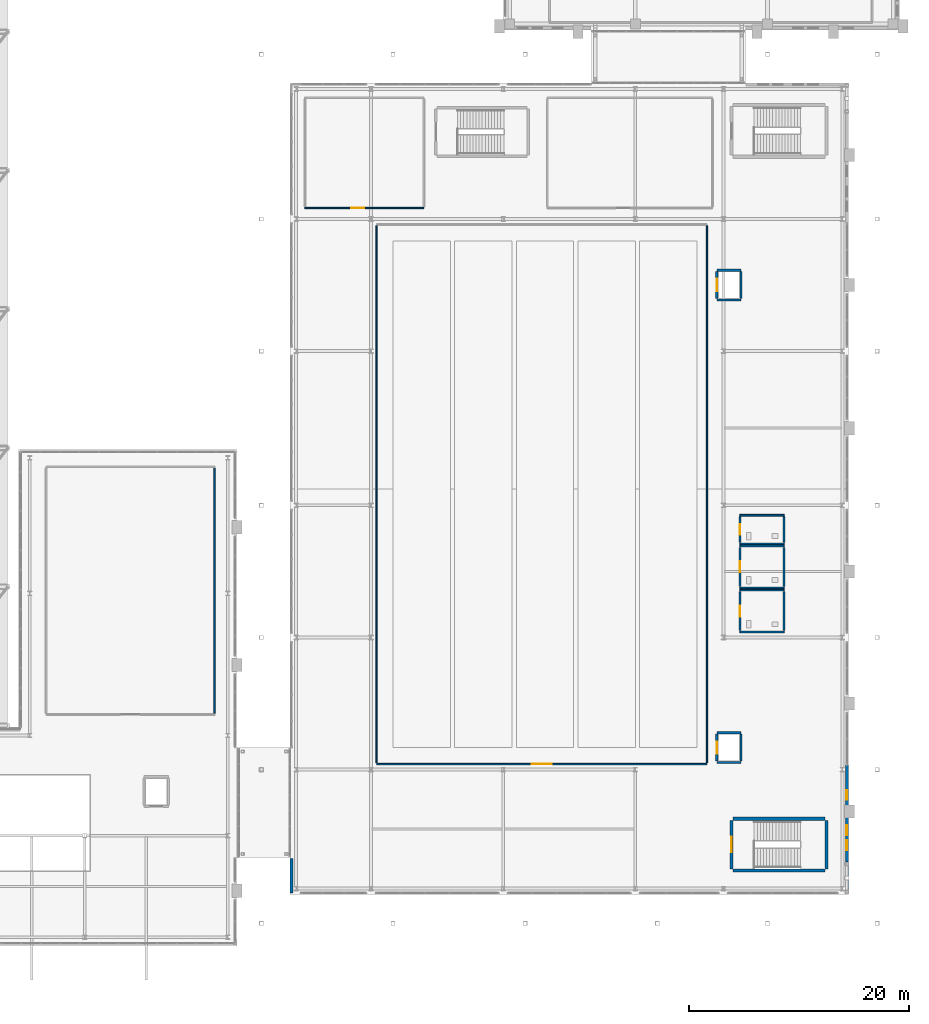
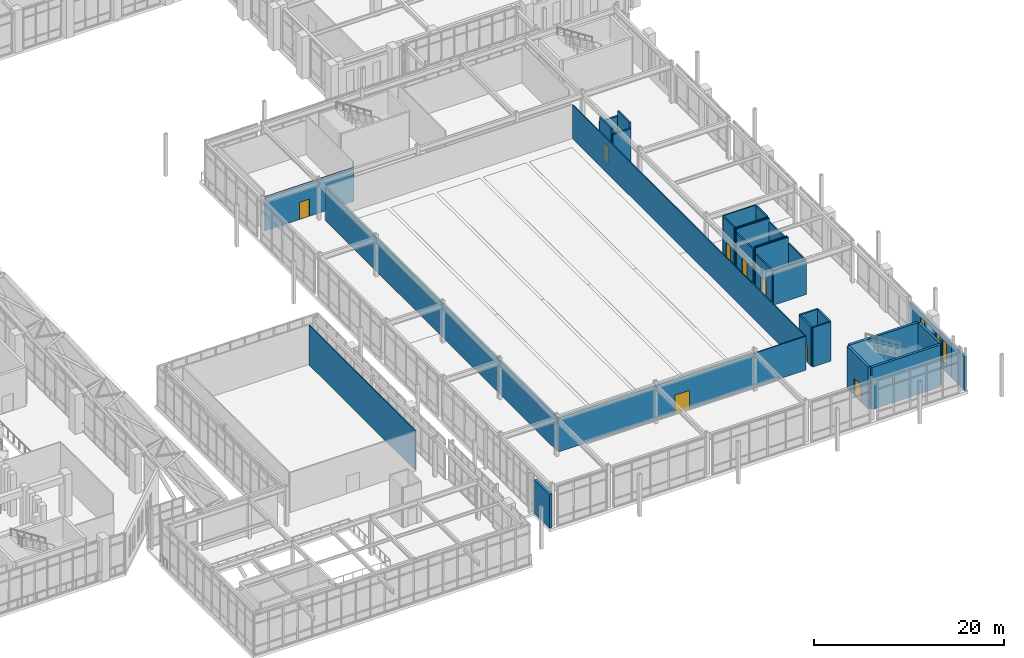
# One storey, part 134 of 159: 32 walls, 8 doors, 3 windows, 11 openings.
"""IFC4 building model written with IfcOpenShell, lengths in metres."""

from ifc_helpers import new_model, si_unit, derived_unit, direction, frame, frame_2d, origin, place, context, subcontext, project, spatial, rectangle, extrude, material, layer, layer_set, type_object, element, fill, save


model = new_model("IFC4")

# Units and contexts
model_context = context("Model", 3, precision=1e-05, world=origin(), true_north=direction((0.0, 1.0)))
body_context = subcontext(model_context, "Body", "Model", "MODEL_VIEW")
ifc_project = project(units=[si_unit("LENGTHUNIT", "METRE"), si_unit("AREAUNIT", "SQUARE_METRE"), si_unit("VOLUMEUNIT", "CUBIC_METRE"), si_unit("PLANEANGLEUNIT", "RADIAN"), si_unit("MASSUNIT", "GRAM", prefix="KILO"), derived_unit("THERMALTRANSMITTANCEUNIT", [(si_unit("MASSUNIT", "GRAM", prefix="KILO"), 1), (si_unit("TIMEUNIT", "SECOND"), -3), (si_unit("THERMODYNAMICTEMPERATUREUNIT", "KELVIN"), -1)])], contexts=[model_context])

# Site, building, storey
site_placement = place(None, origin())
site = spatial("IfcSite", under=ifc_project, at=site_placement, CompositionType="ELEMENT")
building_placement = place(site_placement, origin())
building = spatial("IfcBuilding", under=site, at=building_placement, Name="Valcora Ridge Arena", CompositionType="ELEMENT")
storey_placement = place(building_placement, frame((0.0, 0.0, 6.0)))
storey = spatial("IfcBuildingStorey", under=building, at=storey_placement, Name="L01", CompositionType="ELEMENT", Elevation=6.0)

# Walls
ifc_material_1 = material(Name="Bush-hammered Andean travertine on concrete backup C40/50", Category="masonry")
ifc_layer_1 = layer(ifc_material_1, 0.280029296875, Name="Bush-hammered Andean travertine on concrete backup C40/50")
ifc_layer_set_1 = layer_set([ifc_layer_1], Name="Bush-hammered Andean travertine on concrete backup C40/50")
wall_type_1 = type_object("IfcWallType", Name="TY-WALL-EW-TRV-28-43", PredefinedType="STANDARD", material=ifc_layer_set_1)
wall_1_placement = place(storey_placement, frame((136.800048828125, 4.800048828125, 0.0), z_axis=(0.0, 0.0, 1.0), x_axis=(0.0, 1.0, 0.0)))
element("IfcWall", 1, at=wall_1_placement, inside=storey, type_object=wall_type_1, Name="EW-TRV-28-43 WAL-EW-0014", PredefinedType="STANDARD", context=body_context, shape_type="SweptSolid", body=[
    extrude(rectangle(XDim=3.14990234375, YDim=0.280029296875, at=frame_2d((1.574951171875, 0.0))), origin(), (0.0, 0.0, 1.0), 4.346923828125),
])
wall_2_placement = place(storey_placement, frame((187.199951171875, 4.800048828125, 0.0), z_axis=(0.0, 0.0, 1.0), x_axis=(0.0, 1.0, 0.0)))
element("IfcWall", 2, at=wall_2_placement, inside=storey, type_object=wall_type_1, Name="EW-TRV-28-43 WAL-EW-0015", PredefinedType="STANDARD", context=body_context, shape_type="SweptSolid", body=[
    extrude(rectangle(XDim=2.800048828125, YDim=0.280029296875, at=frame_2d((1.39990234375, 0.0))), origin(), (0.0, 0.0, 1.0), 4.346923828125),
])

# Wall, openings, windows
wall_3_placement = place(storey_placement, frame((187.199951171875, 7.60009765625, 0.0), z_axis=(0.0, 0.0, 1.0), x_axis=(0.0, 1.0, 0.0)))
wall_3 = element("IfcWall", 3, at=wall_3_placement, inside=storey, type_object=wall_type_1, Name="EW-TRV-28-43 WAL-EW-0016", PredefinedType="STANDARD", context=body_context, shape_type="SweptSolid", body=[
    extrude(rectangle(XDim=8.81982421875, YDim=0.280029296875, at=frame_2d((4.409912109375, 0.0))), origin(), (0.0, 0.0, 1.0), 4.346923828125),
])
opening_1_placement = place(wall_3_placement, frame((1.10009765625, 0.0, 0.949951171875)))
opening_1 = element("IfcOpeningElement", 4, at=opening_1_placement, cuts=wall_3, Name="Opening W-GLAN-90X285", PredefinedType="OPENING", context=body_context, shape_type="SweptSolid", body=[
    extrude(rectangle(XDim=0.89990234375, YDim=2.85009765625, at=frame_2d((0.449951171875, 1.425048828125))), frame((0.0, 0.14990234375, 0.0), z_axis=(0.0, -1.0, 0.0), x_axis=(1.0, 0.0, 0.0)), (0.0, 0.0, 1.0), 0.300048828125),
])
opening_2_placement = place(wall_3_placement, frame((2.449951171875, 0.0, 0.949951171875)))
opening_2 = element("IfcOpeningElement", 5, at=opening_2_placement, cuts=wall_3, Name="Opening W-GLAN-90X285", PredefinedType="OPENING", context=body_context, shape_type="SweptSolid", body=[
    extrude(rectangle(XDim=0.89990234375, YDim=2.85009765625, at=frame_2d((0.449951171875, 1.425048828125))), frame((0.0, 0.14990234375, 0.0), z_axis=(0.0, -1.0, 0.0), x_axis=(1.0, 0.0, 0.0)), (0.0, 0.0, 1.0), 0.300048828125),
])
opening_3_placement = place(wall_3_placement, frame((5.64990234375, 0.0, 0.949951171875)))
opening_3 = element("IfcOpeningElement", 6, at=opening_3_placement, cuts=wall_3, Name="Opening W-GLAN-90X285", PredefinedType="OPENING", context=body_context, shape_type="SweptSolid", body=[
    extrude(rectangle(XDim=0.89990234375, YDim=2.85009765625, at=frame_2d((0.449951171875, 1.425048828125))), frame((0.0, 0.14990234375, 0.0), z_axis=(0.0, -1.0, 0.0), x_axis=(1.0, 0.0, 0.0)), (0.0, 0.0, 1.0), 0.300048828125),
])
ifc_material_2 = material(Name="Low-iron solar-control double glazing SHGC 0.28", Category="glass")
window_type = type_object("IfcWindowType", Name="TY-WINDOW-W-GLAN-90X285", PartitioningType="DOUBLE_PANEL_VERTICAL", PredefinedType="WINDOW", material=ifc_material_2)
window_1_placement = place(opening_1_placement, origin())
window_1 = element("IfcWindow", 7, at=window_1_placement, inside=storey, type_object=window_type, Name="W-GLAN-90X285 WIN-EX-0005", OverallHeight=2.85009765625, OverallWidth=0.89990234375, PartitioningType="DOUBLE_PANEL_VERTICAL", PredefinedType="WINDOW", context=body_context, shape_type="SweptSolid", body=[
    extrude(rectangle(XDim=0.89990234375, YDim=2.85009765625, at=frame_2d((0.449951171875, 1.425048828125))), frame((0.0, 0.030029296875, 0.0), z_axis=(0.0, -1.0, 0.0), x_axis=(1.0, 0.0, 0.0)), (0.0, 0.0, 1.0), 0.06005859375),
])
fill(opening_1, window_1)
window_2_placement = place(opening_2_placement, origin())
window_2 = element("IfcWindow", 8, at=window_2_placement, inside=storey, type_object=window_type, Name="W-GLAN-90X285 WIN-EX-0006", OverallHeight=2.85009765625, OverallWidth=0.89990234375, PartitioningType="DOUBLE_PANEL_VERTICAL", PredefinedType="WINDOW", context=body_context, shape_type="SweptSolid", body=[
    extrude(rectangle(XDim=0.89990234375, YDim=2.85009765625, at=frame_2d((0.449951171875, 1.425048828125))), frame((0.0, 0.030029296875, 0.0), z_axis=(0.0, -1.0, 0.0), x_axis=(1.0, 0.0, 0.0)), (0.0, 0.0, 1.0), 0.06005859375),
])
fill(opening_2, window_2)
window_3_placement = place(opening_3_placement, origin())
window_3 = element("IfcWindow", 9, at=window_3_placement, inside=storey, type_object=window_type, Name="W-GLAN-90X285 WIN-EX-0007", OverallHeight=2.85009765625, OverallWidth=0.89990234375, PartitioningType="DOUBLE_PANEL_VERTICAL", PredefinedType="WINDOW", context=body_context, shape_type="SweptSolid", body=[
    extrude(rectangle(XDim=0.89990234375, YDim=2.85009765625, at=frame_2d((0.449951171875, 1.425048828125))), frame((0.0, 0.030029296875, 0.0), z_axis=(0.0, -1.0, 0.0), x_axis=(1.0, 0.0, 0.0)), (0.0, 0.0, 1.0), 0.06005859375),
])
fill(opening_3, window_3)

# Walls
ifc_material_3 = material(Name="Fire-rated masonry-core compartment wall C35/45 150 mm", Category="masonry")
ifc_layer_2 = layer(ifc_material_3, 0.14990234375, Name="Fire-rated masonry-core compartment wall C35/45 150 mm")
ifc_layer_set_2 = layer_set([ifc_layer_2], Name="Fire-rated masonry-core compartment wall C35/45 150 mm")
wall_type_2 = type_object("IfcWallType", Name="TY-WALL-IW-COMP-150", PredefinedType="STANDARD", material=ifc_layer_set_2)
wall_4_placement = place(storey_placement, frame((177.5, 28.5, 0.0), z_axis=(0.0, 0.0, 1.0), x_axis=(1.0, 0.0, 0.0)))
element("IfcWall", 10, at=wall_4_placement, inside=storey, type_object=wall_type_2, Name="IW-COMP-150 WAL-IN-0095", PredefinedType="STANDARD", context=body_context, shape_type="SweptSolid", body=[
    extrude(rectangle(XDim=4.0, YDim=0.14990234375, at=frame_2d((2.0, 0.0))), origin(), (0.0, 0.0, 1.0), 4.346923828125),
])
wall_5_placement = place(storey_placement, frame((177.5, 32.300048828125, 0.0), z_axis=(0.0, 0.0, 1.0), x_axis=(1.0, 0.0, 0.0)))
element("IfcWall", 11, at=wall_5_placement, inside=storey, type_object=wall_type_2, Name="IW-COMP-150 WAL-IN-0096", PredefinedType="STANDARD", context=body_context, shape_type="SweptSolid", body=[
    extrude(rectangle(XDim=4.0, YDim=0.14990234375, at=frame_2d((2.0, 0.0))), origin(), (0.0, 0.0, 1.0), 5.0400390625),
])

# Wall, opening, door
wall_6_placement = place(storey_placement, frame((177.5, 28.64990234375, 0.0), z_axis=(0.0, 0.0, 1.0), x_axis=(0.0, 1.0, 0.0)))
wall_6 = element("IfcWall", 12, at=wall_6_placement, inside=storey, type_object=wall_type_2, Name="IW-COMP-150 WAL-IN-0097", PredefinedType="STANDARD", context=body_context, shape_type="SweptSolid", body=[
    extrude(rectangle(XDim=3.5, YDim=0.14990234375, at=frame_2d((1.75, 0.0))), origin(), (0.0, 0.0, 1.0), 4.346923828125),
])
opening_4_placement = place(wall_6_placement, frame((1.25, 0.0, 0.0)))
opening_4 = element("IfcOpeningElement", 13, at=opening_4_placement, cuts=wall_6, Name="Opening D-WC-1000", PredefinedType="OPENING", context=body_context, shape_type="SweptSolid", body=[
    extrude(rectangle(XDim=1.0, YDim=2.14990234375, at=frame_2d((0.5, 1.074951171875))), frame((0.0, 0.0849609375, 0.0), z_axis=(0.0, -1.0, 0.0), x_axis=(1.0, 0.0, 0.0)), (0.0, 0.0, 1.0), 0.169921875),
])
ifc_material_4 = material(Name="Insulated fire-rated steel door leaf", Category="steel")
door_type_1 = type_object("IfcDoorType", Name="TY-DOOR-D-WC-1000", OperationType="NOTDEFINED", PredefinedType="DOOR", material=ifc_material_4)
door_1_placement = place(opening_4_placement, origin())
door_1 = element("IfcDoor", 14, at=door_1_placement, inside=storey, type_object=door_type_1, Name="D-WC-1000 DOR-IN-0028", OperationType="SINGLE_SWING_RIGHT", OverallHeight=2.14990234375, OverallWidth=1.0, PredefinedType="DOOR", context=body_context, shape_type="SweptSolid", body=[
    extrude(rectangle(XDim=1.0, YDim=2.14990234375, at=frame_2d((0.5, 1.074951171875))), frame((0.0, 0.02490234375, 0.0), z_axis=(0.0, -1.0, 0.0), x_axis=(1.0, 0.0, 0.0)), (0.0, 0.0, 1.0), 0.050048828125),
])
fill(opening_4, door_1)

# Walls
wall_7_placement = place(storey_placement, frame((181.5, 28.64990234375, 0.0), z_axis=(0.0, 0.0, 1.0), x_axis=(0.0, 1.0, 0.0)))
element("IfcWall", 15, at=wall_7_placement, inside=storey, type_object=wall_type_2, Name="IW-COMP-150 WAL-IN-0098", PredefinedType="STANDARD", context=body_context, shape_type="SweptSolid", body=[
    extrude(rectangle(XDim=3.5, YDim=0.14990234375, at=frame_2d((1.75, 0.0))), origin(), (0.0, 0.0, 1.0), 4.346923828125),
])
for number, where, z_axis, x_axis, name in (
    (16, (177.5, 32.5, 0.0), (0.0, 0.0, 1.0), (1.0, 0.0, 0.0), "IW-COMP-150 WAL-IN-0099"),
    (17, (177.5, 36.300048828125, 0.0), (0.0, 0.0, 1.0), (1.0, 0.0, 0.0), "IW-COMP-150 WAL-IN-0100"),
):
    element("IfcWall", number, at=place(storey_placement, frame(where, z_axis=z_axis, x_axis=x_axis)), inside=storey, type_object=wall_type_2, Name=name, PredefinedType="STANDARD", context=body_context, shape_type="SweptSolid", body=[
        extrude(rectangle(XDim=4.0, YDim=0.14990234375, at=frame_2d((2.0, 0.0))), origin(), (0.0, 0.0, 1.0), 5.0400390625),
    ])

# Wall, opening, door
wall_8_placement = place(storey_placement, frame((177.5, 32.64990234375, 0.0), z_axis=(0.0, 0.0, 1.0), x_axis=(0.0, 1.0, 0.0)))
wall_8 = element("IfcWall", 18, at=wall_8_placement, inside=storey, type_object=wall_type_2, Name="IW-COMP-150 WAL-IN-0101", PredefinedType="STANDARD", context=body_context, shape_type="SweptSolid", body=[
    extrude(rectangle(XDim=3.5, YDim=0.14990234375, at=frame_2d((1.75, 0.0))), origin(), (0.0, 0.0, 1.0), 4.634033203125),
])
opening_5_placement = place(wall_8_placement, frame((1.25, 0.0, 0.0)))
opening_5 = element("IfcOpeningElement", 19, at=opening_5_placement, cuts=wall_8, Name="Opening D-WC-1000", PredefinedType="OPENING", context=body_context, shape_type="SweptSolid", body=[
    extrude(rectangle(XDim=1.0, YDim=2.14990234375, at=frame_2d((0.5, 1.074951171875))), frame((0.0, 0.0849609375, 0.0), z_axis=(0.0, -1.0, 0.0), x_axis=(1.0, 0.0, 0.0)), (0.0, 0.0, 1.0), 0.169921875),
])
door_2_placement = place(opening_5_placement, origin())
door_2 = element("IfcDoor", 20, at=door_2_placement, inside=storey, type_object=door_type_1, Name="D-WC-1000 DOR-IN-0029", OperationType="SINGLE_SWING_LEFT", OverallHeight=2.14990234375, OverallWidth=1.0, PredefinedType="DOOR", context=body_context, shape_type="SweptSolid", body=[
    extrude(rectangle(XDim=1.0, YDim=2.14990234375, at=frame_2d((0.5, 1.074951171875))), frame((0.0, 0.02490234375, 0.0), z_axis=(0.0, -1.0, 0.0), x_axis=(1.0, 0.0, 0.0)), (0.0, 0.0, 1.0), 0.050048828125),
])
fill(opening_5, door_2)

# Walls
wall_9_placement = place(storey_placement, frame((181.5, 32.64990234375, 0.0), z_axis=(0.0, 0.0, 1.0), x_axis=(0.0, 1.0, 0.0)))
element("IfcWall", 21, at=wall_9_placement, inside=storey, type_object=wall_type_2, Name="IW-COMP-150 WAL-IN-0102", PredefinedType="STANDARD", context=body_context, shape_type="SweptSolid", body=[
    extrude(rectangle(XDim=3.5, YDim=0.14990234375, at=frame_2d((1.75, 0.0))), origin(), (0.0, 0.0, 1.0), 4.634033203125),
])
for number, where, z_axis, x_axis, name in (
    (22, (177.5, 36.5, 0.0), (0.0, 0.0, 1.0), (1.0, 0.0, 0.0), "IW-COMP-150 WAL-IN-0103"),
    (23, (177.5, 39.10009765625, 0.0), (0.0, 0.0, 1.0), (1.0, 0.0, 0.0), "IW-COMP-150 WAL-IN-0104"),
):
    element("IfcWall", number, at=place(storey_placement, frame(where, z_axis=z_axis, x_axis=x_axis)), inside=storey, type_object=wall_type_2, Name=name, PredefinedType="STANDARD", context=body_context, shape_type="SweptSolid", body=[
        extrude(rectangle(XDim=4.0, YDim=0.14990234375, at=frame_2d((2.0, 0.0))), origin(), (0.0, 0.0, 1.0), 5.0400390625),
    ])

# Wall, opening, door
wall_10_placement = place(storey_placement, frame((177.5, 36.64990234375, 0.0), z_axis=(0.0, 0.0, 1.0), x_axis=(0.0, 1.0, 0.0)))
wall_10 = element("IfcWall", 24, at=wall_10_placement, inside=storey, type_object=wall_type_2, Name="IW-COMP-150 WAL-IN-0105", PredefinedType="STANDARD", context=body_context, shape_type="SweptSolid", body=[
    extrude(rectangle(XDim=2.300048828125, YDim=0.14990234375, at=frame_2d((1.14990234375, 0.0))), origin(), (0.0, 0.0, 1.0), 5.0400390625),
])
opening_6_placement = place(wall_10_placement, frame((0.675048828125, 0.0, 0.0)))
opening_6 = element("IfcOpeningElement", 25, at=opening_6_placement, cuts=wall_10, Name="Opening D-WC-950", PredefinedType="OPENING", context=body_context, shape_type="SweptSolid", body=[
    extrude(rectangle(XDim=0.949951171875, YDim=2.14990234375, at=frame_2d((0.47509765625, 1.074951171875))), frame((0.0, 0.0849609375, 0.0), z_axis=(0.0, -1.0, 0.0), x_axis=(1.0, 0.0, 0.0)), (0.0, 0.0, 1.0), 0.169921875),
])
door_type_2 = type_object("IfcDoorType", Name="TY-DOOR-D-WC-950", OperationType="NOTDEFINED", PredefinedType="DOOR", material=ifc_material_4)
door_3_placement = place(opening_6_placement, origin())
door_3 = element("IfcDoor", 26, at=door_3_placement, inside=storey, type_object=door_type_2, Name="D-WC-950 DOR-IN-0030", OperationType="SINGLE_SWING_RIGHT", OverallHeight=2.14990234375, OverallWidth=0.949951171875, PredefinedType="DOOR", context=body_context, shape_type="SweptSolid", body=[
    extrude(rectangle(XDim=0.949951171875, YDim=2.14990234375, at=frame_2d((0.47509765625, 1.074951171875))), frame((0.0, 0.02490234375, 0.0), z_axis=(0.0, -1.0, 0.0), x_axis=(1.0, 0.0, 0.0)), (0.0, 0.0, 1.0), 0.050048828125),
])
fill(opening_6, door_3)

# Wall
wall_11_placement = place(storey_placement, frame((181.5, 36.64990234375, 0.0), z_axis=(0.0, 0.0, 1.0), x_axis=(0.0, 1.0, 0.0)))
element("IfcWall", 27, at=wall_11_placement, inside=storey, type_object=wall_type_2, Name="IW-COMP-150 WAL-IN-0106", PredefinedType="STANDARD", context=body_context, shape_type="SweptSolid", body=[
    extrude(rectangle(XDim=2.300048828125, YDim=0.14990234375, at=frame_2d((1.14990234375, 0.0))), origin(), (0.0, 0.0, 1.0), 5.0400390625),
])

# Wall, opening, door
ifc_material_5 = material(Name="Acoustic metal-stud gypsum partition 120 mm")
ifc_layer_3 = layer(ifc_material_5, 0.1201171875, Name="Acoustic metal-stud gypsum partition 120 mm")
ifc_layer_set_3 = layer_set([ifc_layer_3], Name="Acoustic metal-stud gypsum partition 120 mm")
wall_type_3 = type_object("IfcWallType", Name="TY-WALL-IW-PART-120", PredefinedType="PARTITIONING", material=ifc_layer_set_3)
wall_12_placement = place(storey_placement, frame((144.5, 16.5, 0.0), z_axis=(0.0, 0.0, 1.0), x_axis=(1.0, 0.0, 0.0)))
wall_12 = element("IfcWall", 28, at=wall_12_placement, inside=storey, type_object=wall_type_3, Name="IW-PART-120 WAL-IN-0301", PredefinedType="PARTITIONING", context=body_context, shape_type="SweptSolid", body=[
    extrude(rectangle(XDim=30.0, YDim=0.1201171875, at=frame_2d((15.0, 0.0))), origin(), (0.0, 0.0, 1.0), 4.346923828125),
])
opening_7_placement = place(wall_12_placement, frame((14.10009765625, 0.0, 0.0)))
opening_7 = element("IfcOpeningElement", 29, at=opening_7_placement, cuts=wall_12, Name="Opening D-PUB-1800", PredefinedType="OPENING", context=body_context, shape_type="SweptSolid", body=[
    extrude(rectangle(XDim=1.800048828125, YDim=2.35009765625, at=frame_2d((0.89990234375, 1.175048828125))), frame((0.0, 0.070068359375, 0.0), z_axis=(0.0, -1.0, 0.0), x_axis=(1.0, 0.0, 0.0)), (0.0, 0.0, 1.0), 0.14013671875),
])
ifc_material_6 = material(Name="Solid-core acoustic timber veneer door leaf", Category="wood")
door_type_3 = type_object("IfcDoorType", Name="TY-DOOR-D-PUB-1800", OperationType="NOTDEFINED", PredefinedType="DOOR", material=ifc_material_6)
door_4_placement = place(opening_7_placement, origin())
door_4 = element("IfcDoor", 30, at=door_4_placement, inside=storey, type_object=door_type_3, Name="D-PUB-1800 DOR-IN-0080", OperationType="DOUBLE_DOOR_SINGLE_SWING", OverallHeight=2.35009765625, OverallWidth=1.800048828125, PredefinedType="DOOR", context=body_context, shape_type="SweptSolid", body=[
    extrude(rectangle(XDim=1.800048828125, YDim=2.35009765625, at=frame_2d((0.89990234375, 1.175048828125))), frame((0.0, 0.02490234375, 0.0), z_axis=(0.0, -1.0, 0.0), x_axis=(1.0, 0.0, 0.0)), (0.0, 0.0, 1.0), 0.050048828125),
])
fill(opening_7, door_4)

# Walls
for number, where, z_axis, x_axis, name in (
    (31, (144.5, 16.6201171875, 0.0), (0.0, 0.0, 1.0), (0.0, 1.0, 0.0), "IW-PART-120 WAL-IN-0303"),
    (32, (174.5, 16.6201171875, 0.0), (0.0, 0.0, 1.0), (0.0, 1.0, 0.0), "IW-PART-120 WAL-IN-0304"),
):
    element("IfcWall", number, at=place(storey_placement, frame(where, z_axis=z_axis, x_axis=x_axis)), inside=storey, type_object=wall_type_3, Name=name, PredefinedType="PARTITIONING", context=body_context, shape_type="SweptSolid", body=[
        extrude(rectangle(XDim=48.759765625, YDim=0.1201171875, at=frame_2d((24.3798828125, 0.0))), origin(), (0.0, 0.0, 1.0), 4.346923828125),
    ])

# Wall, opening, door
wall_13_placement = place(storey_placement, frame((138.0, 67.0, 0.0), z_axis=(0.0, 0.0, 1.0), x_axis=(1.0, 0.0, 0.0)))
wall_13 = element("IfcWall", 33, at=wall_13_placement, inside=storey, type_object=wall_type_3, Name="IW-PART-120 WAL-IN-0305", PredefinedType="PARTITIONING", context=body_context, shape_type="SweptSolid", body=[
    extrude(rectangle(XDim=10.800048828125, YDim=0.1201171875, at=frame_2d((5.39990234375, 0.0))), origin(), (0.0, 0.0, 1.0), 4.346923828125),
])
opening_8_placement = place(wall_13_placement, frame((4.199951171875, 0.0, 0.0)))
opening_8 = element("IfcOpeningElement", 34, at=opening_8_placement, cuts=wall_13, Name="Opening D-ATH-1200", PredefinedType="OPENING", context=body_context, shape_type="SweptSolid", body=[
    extrude(rectangle(XDim=1.199951171875, YDim=2.199951171875, at=frame_2d((0.60009765625, 1.10009765625))), frame((0.0, 0.070068359375, 0.0), z_axis=(0.0, -1.0, 0.0), x_axis=(1.0, 0.0, 0.0)), (0.0, 0.0, 1.0), 0.14013671875),
])
door_type_4 = type_object("IfcDoorType", Name="TY-DOOR-D-ATH-1200", OperationType="NOTDEFINED", PredefinedType="DOOR", material=ifc_material_6)
door_5_placement = place(opening_8_placement, origin())
door_5 = element("IfcDoor", 35, at=door_5_placement, inside=storey, type_object=door_type_4, Name="D-ATH-1200 DOR-IN-0081", OperationType="SINGLE_SWING_LEFT", OverallHeight=2.199951171875, OverallWidth=1.199951171875, PredefinedType="DOOR", context=body_context, shape_type="SweptSolid", body=[
    extrude(rectangle(XDim=1.199951171875, YDim=2.199951171875, at=frame_2d((0.60009765625, 1.10009765625))), frame((0.0, 0.02490234375, 0.0), z_axis=(0.0, -1.0, 0.0), x_axis=(1.0, 0.0, 0.0)), (0.0, 0.0, 1.0), 0.050048828125),
])
fill(opening_8, door_5)

# Walls
wall_14_placement = place(storey_placement, frame((129.800048828125, 21.1201171875, 0.0), z_axis=(0.0, 0.0, 1.0), x_axis=(0.0, 1.0, 0.0)))
element("IfcWall", 36, at=wall_14_placement, inside=storey, type_object=wall_type_3, Name="IW-PART-120 WAL-IN-0316", PredefinedType="PARTITIONING", context=body_context, shape_type="SweptSolid", body=[
    extrude(rectangle(XDim=22.259765625, YDim=0.1201171875, at=frame_2d((11.1298828125, 0.0))), origin(), (0.0, 0.0, 1.0), 5.10009765625),
])
ifc_material_7 = material(Name="Concrete C40/50", Category="concrete")
ifc_layer_4 = layer(ifc_material_7, 0.199951171875, Name="Concrete C40/50")
ifc_layer_set_4 = layer_set([ifc_layer_4], Name="Concrete C40/50")
wall_type_4 = type_object("IfcWallType", Name="TY-WALL-IW-SHF-200", PredefinedType="STANDARD", material=ifc_layer_set_4)
for number, where, z_axis, x_axis, name in (
    (37, (175.39990234375, 16.64990234375, 0.0), (0.0, 0.0, 1.0), (1.0, 0.0, 0.0), "IW-SHF-200 WAL-SH-0165"),
    (38, (175.39990234375, 19.35009765625, 0.0), (0.0, 0.0, 1.0), (1.0, 0.0, 0.0), "IW-SHF-200 WAL-SH-0166"),
):
    element("IfcWall", number, at=place(storey_placement, frame(where, z_axis=z_axis, x_axis=x_axis)), inside=storey, type_object=wall_type_4, Name=name, PredefinedType="STANDARD", context=body_context, shape_type="SweptSolid", body=[
        extrude(rectangle(XDim=2.2001953125, YDim=0.199951171875, at=frame_2d((1.10009765625, 0.0))), origin(), (0.0, 0.0, 1.0), 5.0400390625),
    ])

# Wall, opening, door
wall_15_placement = place(storey_placement, frame((175.39990234375, 16.77001953125, 0.0), z_axis=(0.0, 0.0, 1.0), x_axis=(0.0, 1.0, 0.0)))
wall_15 = element("IfcWall", 39, at=wall_15_placement, inside=storey, type_object=wall_type_4, Name="IW-SHF-200 WAL-SH-0167", PredefinedType="STANDARD", context=body_context, shape_type="SweptSolid", body=[
    extrude(rectangle(XDim=2.4599609375, YDim=0.199951171875, at=frame_2d((1.22998046875, 0.0))), origin(), (0.0, 0.0, 1.0), 5.0400390625),
])
opening_9_placement = place(wall_15_placement, frame((0.679931640625, 0.0, 0.0)))
opening_9 = element("IfcOpeningElement", 40, at=opening_9_placement, cuts=wall_15, Name="Opening LD-PAX", PredefinedType="OPENING", context=body_context, shape_type="SweptSolid", body=[
    extrude(rectangle(XDim=1.10009765625, YDim=2.14990234375, at=frame_2d((0.550048828125, 1.074951171875))), frame((0.0, 0.10986328125, 0.0), z_axis=(0.0, -1.0, 0.0), x_axis=(1.0, 0.0, 0.0)), (0.0, 0.0, 1.0), 0.219970703125),
])
ifc_material_8 = material(Name="Insulated fire-rated hollow metal steel", Category="steel")
door_type_5 = type_object("IfcDoorType", Name="TY-DOOR-LD-PAX", OperationType="NOTDEFINED", PredefinedType="DOOR", material=ifc_material_8)
door_6_placement = place(opening_9_placement, origin())
door_6 = element("IfcDoor", 41, at=door_6_placement, inside=storey, type_object=door_type_5, Name="PL6 Landing Door L01", OperationType="SLIDING_TO_LEFT", OverallHeight=2.14990234375, OverallWidth=1.10009765625, PredefinedType="DOOR", context=body_context, shape_type="SweptSolid", body=[
    extrude(rectangle(XDim=1.10009765625, YDim=2.14990234375, at=frame_2d((0.550048828125, 1.074951171875))), frame((0.0, 0.02490234375, 0.0), z_axis=(0.0, -1.0, 0.0), x_axis=(1.0, 0.0, 0.0)), (0.0, 0.0, 1.0), 0.050048828125),
])
fill(opening_9, door_6)

# Walls
wall_16_placement = place(storey_placement, frame((177.60009765625, 16.77001953125, 0.0), z_axis=(0.0, 0.0, 1.0), x_axis=(0.0, 1.0, 0.0)))
element("IfcWall", 42, at=wall_16_placement, inside=storey, type_object=wall_type_4, Name="IW-SHF-200 WAL-SH-0168", PredefinedType="STANDARD", context=body_context, shape_type="SweptSolid", body=[
    extrude(rectangle(XDim=2.4599609375, YDim=0.199951171875, at=frame_2d((1.22998046875, 0.0))), origin(), (0.0, 0.0, 1.0), 5.0400390625),
])
for number, where, z_axis, x_axis, name in (
    (43, (175.39990234375, 58.64990234375, 0.0), (0.0, 0.0, 1.0), (1.0, 0.0, 0.0), "IW-SHF-200 WAL-SH-0237"),
    (44, (175.39990234375, 61.35009765625, 0.0), (0.0, 0.0, 1.0), (1.0, 0.0, 0.0), "IW-SHF-200 WAL-SH-0238"),
):
    element("IfcWall", number, at=place(storey_placement, frame(where, z_axis=z_axis, x_axis=x_axis)), inside=storey, type_object=wall_type_4, Name=name, PredefinedType="STANDARD", context=body_context, shape_type="SweptSolid", body=[
        extrude(rectangle(XDim=2.2001953125, YDim=0.199951171875, at=frame_2d((1.10009765625, 0.0))), origin(), (0.0, 0.0, 1.0), 4.346923828125),
    ])

# Wall, opening, door
wall_17_placement = place(storey_placement, frame((175.39990234375, 58.77001953125, 0.0), z_axis=(0.0, 0.0, 1.0), x_axis=(0.0, 1.0, 0.0)))
wall_17 = element("IfcWall", 45, at=wall_17_placement, inside=storey, type_object=wall_type_4, Name="IW-SHF-200 WAL-SH-0239", PredefinedType="STANDARD", context=body_context, shape_type="SweptSolid", body=[
    extrude(rectangle(XDim=2.4599609375, YDim=0.199951171875, at=frame_2d((1.22998046875, 0.0))), origin(), (0.0, 0.0, 1.0), 5.0400390625),
])
opening_10_placement = place(wall_17_placement, frame((0.679931640625, 0.0, 0.0)))
opening_10 = element("IfcOpeningElement", 46, at=opening_10_placement, cuts=wall_17, Name="Opening LD-PAX", PredefinedType="OPENING", context=body_context, shape_type="SweptSolid", body=[
    extrude(rectangle(XDim=1.10009765625, YDim=2.14990234375, at=frame_2d((0.550048828125, 1.074951171875))), frame((0.0, 0.10986328125, 0.0), z_axis=(0.0, -1.0, 0.0), x_axis=(1.0, 0.0, 0.0)), (0.0, 0.0, 1.0), 0.219970703125),
])
door_7_placement = place(opening_10_placement, origin())
door_7 = element("IfcDoor", 47, at=door_7_placement, inside=storey, type_object=door_type_5, Name="CL4 Landing Door L01", OperationType="SLIDING_TO_LEFT", OverallHeight=2.14990234375, OverallWidth=1.10009765625, PredefinedType="DOOR", context=body_context, shape_type="SweptSolid", body=[
    extrude(rectangle(XDim=1.10009765625, YDim=2.14990234375, at=frame_2d((0.550048828125, 1.074951171875))), frame((0.0, 0.02490234375, 0.0), z_axis=(0.0, -1.0, 0.0), x_axis=(1.0, 0.0, 0.0)), (0.0, 0.0, 1.0), 0.050048828125),
])
fill(opening_10, door_7)

# Walls
wall_18_placement = place(storey_placement, frame((177.60009765625, 58.77001953125, 0.0), z_axis=(0.0, 0.0, 1.0), x_axis=(0.0, 1.0, 0.0)))
element("IfcWall", 48, at=wall_18_placement, inside=storey, type_object=wall_type_4, Name="IW-SHF-200 WAL-SH-0240", PredefinedType="STANDARD", context=body_context, shape_type="SweptSolid", body=[
    extrude(rectangle(XDim=2.4599609375, YDim=0.199951171875, at=frame_2d((1.22998046875, 0.0))), origin(), (0.0, 0.0, 1.0), 5.0400390625),
])
ifc_material_9 = material(Name="Concrete C45/55", Category="concrete")
ifc_layer_5 = layer(ifc_material_9, 0.300048828125, Name="Concrete C45/55")
ifc_layer_set_5 = layer_set([ifc_layer_5], Name="Concrete C45/55")
wall_type_5 = type_object("IfcWallType", Name="TY-WALL-SW-C300-L", PredefinedType="SHEAR", material=ifc_layer_set_5)
for number, where, z_axis, x_axis, name in (
    (49, (176.8798828125, 6.85009765625, 0.0), (0.0, 0.0, 1.0), (1.0, 0.0, 0.0), "SW-C300-L WAL-CR-0221"),
    (50, (176.8798828125, 11.550048828125, 0.0), (0.0, 0.0, 1.0), (1.0, 0.0, 0.0), "SW-C300-L WAL-CR-0222"),
):
    element("IfcWall", number, at=place(storey_placement, frame(where, z_axis=z_axis, x_axis=x_axis)), inside=storey, type_object=wall_type_5, Name=name, PredefinedType="SHEAR", context=body_context, shape_type="SweptSolid", body=[
        extrude(rectangle(XDim=8.320068359375, YDim=0.300048828125, at=frame_2d((4.16015625, 0.0))), origin(), (0.0, 0.0, 1.0), 5.39990234375),
    ])

# Wall, opening, door
ifc_layer_6 = layer(ifc_material_9, 0.300048828125, Name="Concrete C45/55")
ifc_layer_set_6 = layer_set([ifc_layer_6], Name="Concrete C45/55")
wall_type_6 = type_object("IfcWallType", Name="TY-WALL-SW-C300-S", PredefinedType="SHEAR", material=ifc_layer_set_6)
wall_19_placement = place(storey_placement, frame((176.72998046875, 7.0, 0.0), z_axis=(0.0, 0.0, 1.0), x_axis=(0.0, 1.0, 0.0)))
wall_19 = element("IfcWall", 51, at=wall_19_placement, inside=storey, type_object=wall_type_6, Name="SW-C300-S WAL-CR-0223", PredefinedType="SHEAR", context=body_context, shape_type="SweptSolid", body=[
    extrude(rectangle(XDim=4.39990234375, YDim=0.300048828125, at=frame_2d((2.199951171875, 0.0))), origin(), (0.0, 0.0, 1.0), 5.39990234375),
])
opening_11_placement = place(wall_19_placement, frame((1.5, 0.0, 0.0)))
opening_11 = element("IfcOpeningElement", 52, at=opening_11_placement, cuts=wall_19, Name="Opening FD-01", PredefinedType="OPENING", context=body_context, shape_type="SweptSolid", body=[
    extrude(rectangle(XDim=1.39990234375, YDim=2.199951171875, at=frame_2d((0.699951171875, 1.10009765625))), frame((0.0, 0.159912109375, 0.0), z_axis=(0.0, -1.0, 0.0), x_axis=(1.0, 0.0, 0.0)), (0.0, 0.0, 1.0), 0.320068359375),
])
door_type_6 = type_object("IfcDoorType", Name="TY-DOOR-FD-01", OperationType="NOTDEFINED", PredefinedType="DOOR", material=ifc_material_4)
door_8_placement = place(opening_11_placement, origin())
door_8 = element("IfcDoor", 53, at=door_8_placement, inside=storey, type_object=door_type_6, Name="FD-01 DOR-ST-0056", OperationType="DOUBLE_DOOR_SINGLE_SWING", OverallHeight=2.199951171875, OverallWidth=1.39990234375, PredefinedType="DOOR", context=body_context, shape_type="SweptSolid", body=[
    extrude(rectangle(XDim=1.39990234375, YDim=2.199951171875, at=frame_2d((0.699951171875, 1.10009765625))), frame((0.0, 0.02490234375, 0.0), z_axis=(0.0, -1.0, 0.0), x_axis=(1.0, 0.0, 0.0)), (0.0, 0.0, 1.0), 0.050048828125),
])
fill(opening_11, door_8)

# Wall
wall_20_placement = place(storey_placement, frame((185.35009765625, 7.0, 0.0), z_axis=(0.0, 0.0, 1.0), x_axis=(0.0, 1.0, 0.0)))
element("IfcWall", 54, at=wall_20_placement, inside=storey, type_object=wall_type_6, Name="SW-C300-S WAL-CR-0224", PredefinedType="SHEAR", context=body_context, shape_type="SweptSolid", body=[
    extrude(rectangle(XDim=4.39990234375, YDim=0.300048828125, at=frame_2d((2.199951171875, 0.0))), origin(), (0.0, 0.0, 1.0), 5.39990234375),
])

save(model, "model.ifc")
